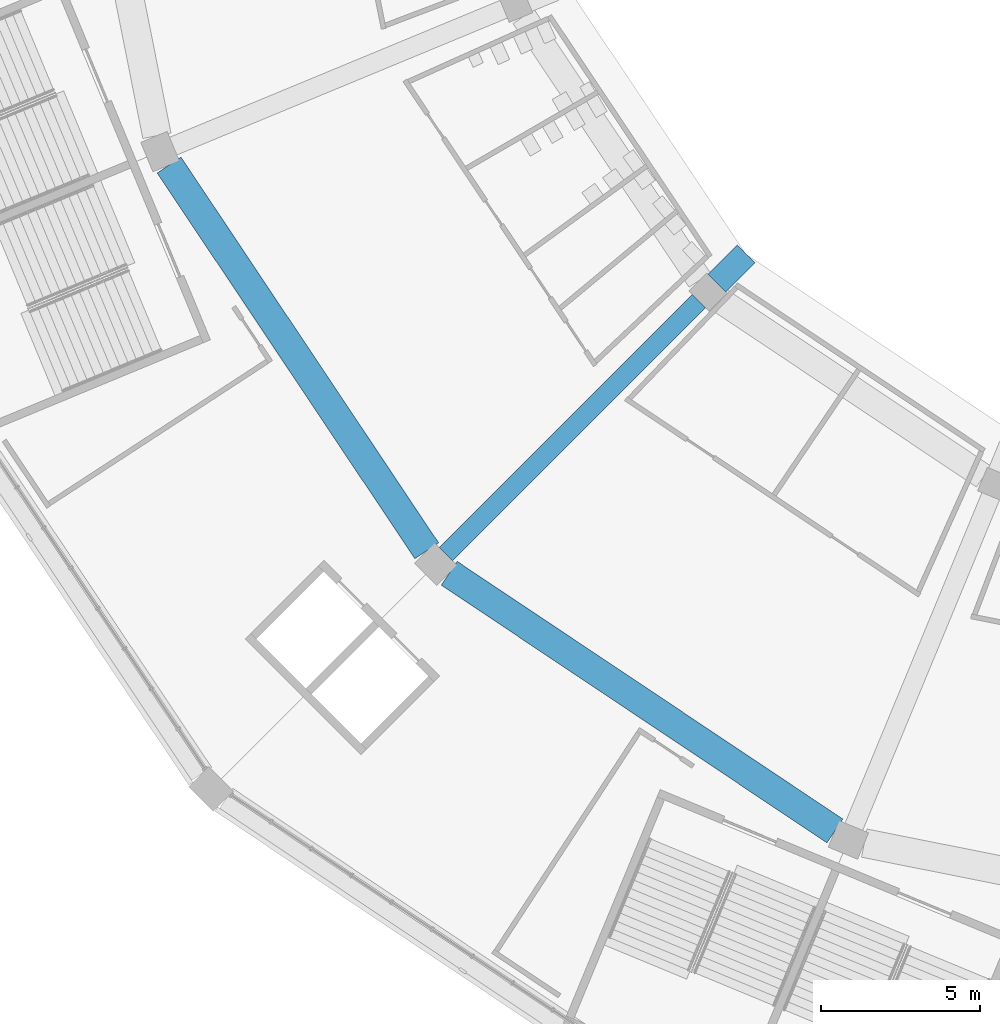
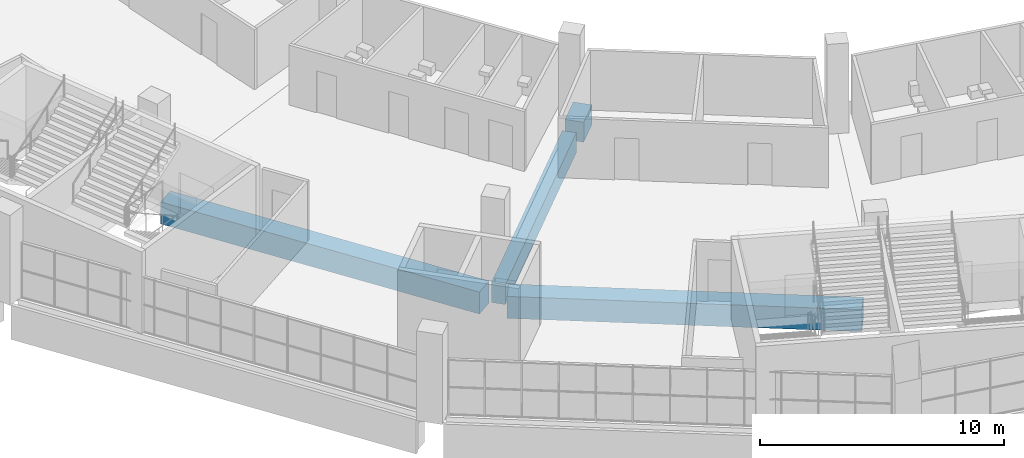
# One storey, part 4 of 199: 4 beams.
"""IFC4 building model written with IfcOpenShell, lengths in metres."""

from ifc_helpers import new_model, si_unit, direction, frame, origin, origin_2d, place, context, subcontext, project, spatial, rectangle, extrude, material, material_profile, profile_set, type_object, element, save


model = new_model("IFC4")

# Units and contexts
model_context = context("Model", 3, precision=1e-05, world=origin(), true_north=direction((0.0, 1.0)))
body_context = subcontext(model_context, "Body", "Model", "MODEL_VIEW")
ifc_project = project(units=[si_unit("LENGTHUNIT", "METRE"), si_unit("AREAUNIT", "SQUARE_METRE"), si_unit("VOLUMEUNIT", "CUBIC_METRE"), si_unit("PLANEANGLEUNIT", "RADIAN"), si_unit("MASSUNIT", "GRAM", prefix="KILO")], contexts=[model_context])

# Site, building, storey
site_placement = place(None, origin())
site = spatial("IfcSite", under=ifc_project, at=site_placement, CompositionType="ELEMENT")
building_placement = place(site_placement, origin())
building = spatial("IfcBuilding", under=site, at=building_placement, Name="Ogive Plaza Stadium", CompositionType="ELEMENT")
storey_placement = place(building_placement, frame((0.0, 0.0, 4.5)))
storey = spatial("IfcBuildingStorey", under=building, at=storey_placement, Name="L01", CompositionType="ELEMENT", Elevation=4.5)

# Beams
ifc_material_1 = material(Name="Concrete C40/50", Category="concrete")
ifc_material_profile_1 = material_profile(ifc_material_1, rectangle(XDim=0.60009765625, YDim=1.0, at=origin_2d()), Name="RC 600x1000")
ifc_profile_set_1 = profile_set([ifc_material_profile_1], Name="Concrete C40/50")
beam_type_1 = type_object("IfcBeamType", Name="RC radial beam 600x1000", PredefinedType="BEAM", material=ifc_profile_set_1)
beam_1_placement = place(storey_placement, frame((-54.01123046875, -72.51123046875, -0.909912109375), z_axis=(-0.707106781187, -0.707106781187, 0.0), x_axis=(0.707106781187, -0.707106781187, 0.0)))
element("IfcBeam", 1, at=beam_1_placement, inside=storey, type_object=beam_type_1, Name="Radial beam L01 R19 F3F4", PredefinedType="BEAM", context=body_context, shape_type="SweptSolid", body=[
    extrude(rectangle(XDim=0.60009765625, YDim=1.0, at=origin_2d()), origin(), (0.0, 0.0, 1.0), 11.249755859375),
])
ifc_material_2 = material(Name="Concrete C40/50", Category="concrete")
ifc_material_profile_2 = material_profile(ifc_material_2, rectangle(XDim=0.800048828125, YDim=1.0, at=origin_2d()), Name="RC 800x1000")
ifc_profile_set_2 = profile_set([ifc_material_profile_2], Name="Concrete C40/50")
beam_type_2 = type_object("IfcBeamType", Name="RC radial beam 800x1000", PredefinedType="BEAM", material=ifc_profile_set_2)
beam_2_placement = place(storey_placement, frame((-52.526123046875, -71.026123046875, -0.909912109375), z_axis=(-0.707106781187, -0.707106781187, 0.0), x_axis=(0.707106781187, -0.707106781187, 0.0)))
element("IfcBeam", 2, at=beam_2_placement, inside=storey, type_object=beam_type_2, Name="Raker tail beam LT R19", PredefinedType="BEAM", context=body_context, shape_type="SweptSolid", body=[
    extrude(rectangle(XDim=0.800048828125, YDim=1.0, at=origin_2d()), origin(), (0.0, 0.0, 1.0), 1.30029296875),
])
ifc_material_3 = material(Name="Concrete C40/50", Category="concrete")
ifc_material_profile_3 = material_profile(ifc_material_3, rectangle(XDim=0.89990234375, YDim=1.10009765625, at=origin_2d()), Name="RC 900x1100")
ifc_profile_set_3 = profile_set([ifc_material_profile_3], Name="Concrete C40/50")
beam_type_3 = type_object("IfcBeamType", Name="RC ring beam 900x1100", PredefinedType="BEAM", material=ifc_profile_set_3)
for number, where, z_axis, x_axis, name in (
    (3, (-49.731201171875, -89.171875, -0.9599609375), (-0.831467933961, 0.555572744827, 0.0), (-0.555572744827, -0.831467933961, 0.0), "Ring beam F4 L01 B18"),
    (4, (-62.5673828125, -80.3603515625, -0.9599609375), (-0.555572744827, 0.831467933961, 0.0), (-0.831467933961, -0.555572744827, 0.0), "Ring beam F4 L01 B19"),
):
    element("IfcBeam", number, at=place(storey_placement, frame(where, z_axis=z_axis, x_axis=x_axis)), inside=storey, type_object=beam_type_3, Name=name, PredefinedType="BEAM", context=body_context, shape_type="SweptSolid", body=[
        extrude(rectangle(XDim=0.89990234375, YDim=1.10009765625, at=origin_2d()), origin(), (0.0, 0.0, 1.0), 14.587646484375),
    ])

save(model, "model.ifc")
